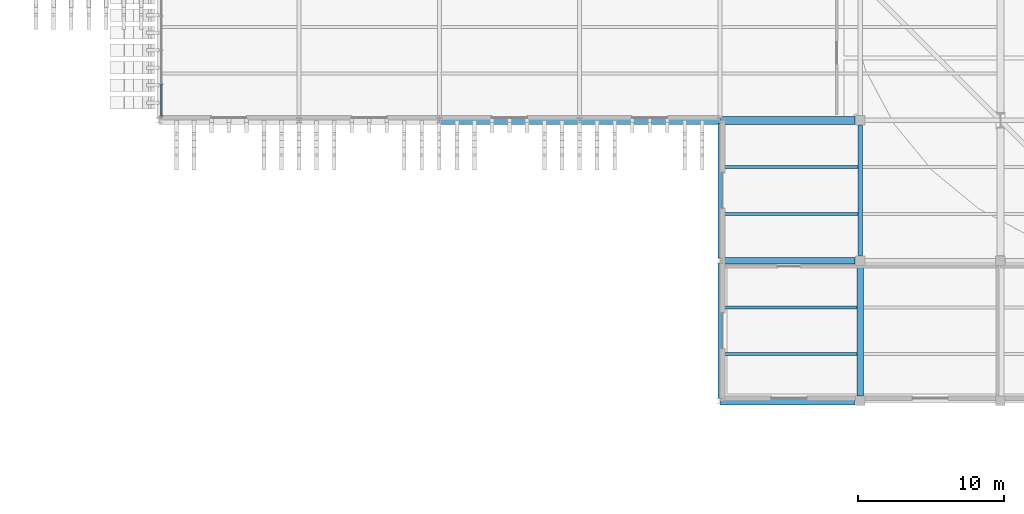
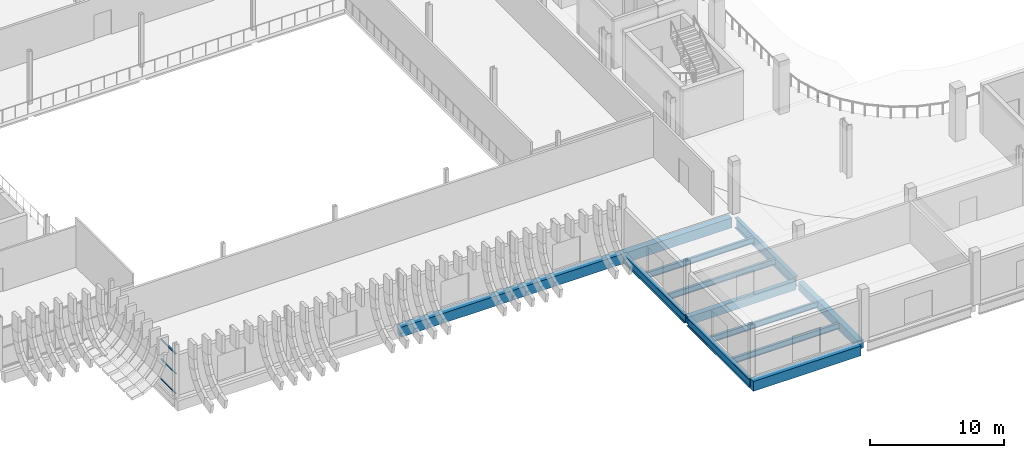
# One storey, part 14 of 100: 13 beams, 3 members, 1 element without a shape of its own.
"""IFC4 building model written with IfcOpenShell, lengths in metres."""

from ifc_helpers import new_model, si_unit, direction, frame, origin, origin_2d, place, context, subcontext, project, spatial, rectangle, i_section, extrude, material, layer, layer_set, material_profile, profile_set, type_object, element, aggregate, save


model = new_model("IFC4")

# Units and contexts
model_context = context("Model", 3, precision=1e-05, world=origin(), true_north=direction((0.0, 1.0)))
body_context = subcontext(model_context, "Body", "Model", "MODEL_VIEW")
ifc_project = project(units=[si_unit("LENGTHUNIT", "METRE"), si_unit("AREAUNIT", "SQUARE_METRE"), si_unit("VOLUMEUNIT", "CUBIC_METRE"), si_unit("PLANEANGLEUNIT", "RADIAN"), si_unit("MASSUNIT", "GRAM", prefix="KILO")], contexts=[model_context])

# Site, building, storey
site_placement = place(None, origin())
site = spatial("IfcSite", under=ifc_project, at=site_placement, CompositionType="ELEMENT")
building_placement = place(site_placement, origin())
building = spatial("IfcBuilding", under=site, at=building_placement, Name="Caelomonte Colonnade Arena", CompositionType="ELEMENT")
storey_placement = place(building_placement, origin())
storey = spatial("IfcBuildingStorey", under=building, at=storey_placement, Name="L00", CompositionType="ELEMENT", Elevation=0.0)

# Curtain wall, members
ifc_material_1 = material(Name="Bronze anodised aluminium and low-E glazing", Category="aluminium")
ifc_layer = layer(ifc_material_1, 0.179931640625)
ifc_layer_set = layer_set([ifc_layer], Name="Bronze anodised aluminium and low-E glazing")
curtain_wall_type = type_object("IfcCurtainWallType", Name="ENV-CW-CW-L00-96-37", PredefinedType="USERDEFINED", material=ifc_layer_set)
curtain_wall_placement = place(storey_placement, origin())
curtain_wall = element("IfcCurtainWall", 1, at=curtain_wall_placement, inside=storey, type_object=curtain_wall_type, Name="L00 unitized curtain wall CW-L00-0098-0336", ObjectType="UNITIZED CURTAIN WALL", PredefinedType="USERDEFINED")
ifc_material_2 = material(Name="Bronze anodised aluminium AA6063-T6", Category="aluminium")
ifc_material_profile_1 = material_profile(ifc_material_2, rectangle(XDim=0.06494140625, YDim=0.1201171875, at=origin_2d()), Name="CWT-65X120")
ifc_profile_set_1 = profile_set([ifc_material_profile_1], Name="Bronze anodised aluminium AA6063-T6")
member_type = type_object("IfcMemberType", Name="ENV-CW-TRAN2", PredefinedType="USERDEFINED", material=ifc_profile_set_1)
member_1_placement = place(storey_placement, frame((9.780029296875, 31.277587890625, 0.032470703125), z_axis=(0.0, -1.0, 0.0), x_axis=(0.0, 0.0, 1.0)))
member_1 = element("IfcMember", 2, at=member_1_placement, type_object=member_type, Name="CW-L00-96-37 transom 4.1", ObjectType="TRANSOM", PredefinedType="USERDEFINED", context=body_context, shape_type="SweptSolid", body=[
    extrude(rectangle(XDim=0.06494140625, YDim=0.1201171875, at=origin_2d()), origin(), (0.0, 0.0, 1.0), 2.208251953125),
])
member_2_placement = place(storey_placement, frame((9.780029296875, 31.277587890625, 1.832275390625), z_axis=(0.0, -1.0, 0.0), x_axis=(0.0, 0.0, 1.0)))
member_2 = element("IfcMember", 3, at=member_2_placement, type_object=member_type, Name="CW-L00-96-37 transom 4.2", ObjectType="TRANSOM", PredefinedType="USERDEFINED", context=body_context, shape_type="SweptSolid", body=[
    extrude(rectangle(XDim=0.06494140625, YDim=0.1201171875, at=origin_2d()), origin(), (0.0, 0.0, 1.0), 2.208251953125),
])
member_3_placement = place(storey_placement, frame((9.780029296875, 31.277587890625, 3.6318359375), z_axis=(0.0, -1.0, 0.0), x_axis=(0.0, 0.0, 1.0)))
member_3 = element("IfcMember", 4, at=member_3_placement, type_object=member_type, Name="CW-L00-96-37 transom 4.3", ObjectType="TRANSOM", PredefinedType="USERDEFINED", context=body_context, shape_type="SweptSolid", body=[
    extrude(rectangle(XDim=0.06494140625, YDim=0.1201171875, at=origin_2d()), origin(), (0.0, 0.0, 1.0), 2.208251953125),
])
aggregate(curtain_wall, [member_1, member_2, member_3])

# Beams
ifc_material_3 = material(Name="Wide-flange steel ASTM A992 Grade 50", Category="steel")
ifc_material_profile_2 = material_profile(ifc_material_3, i_section(OverallWidth=0.307861328125, OverallDepth=0.927001953125, WebThickness=0.019287109375, FlangeThickness=0.031982421875, FilletRadius=0.020263671875, at=origin_2d()), Name="W36X194")
ifc_profile_set_2 = profile_set([ifc_material_profile_2], Name="Wide-flange steel ASTM A992 Grade 50")
beam_type_1 = type_object("IfcBeamType", Name="STR-BM-EAVES2", PredefinedType="SPANDREL", material=ifc_profile_set_2)
beam_1_placement = place(storey_placement, frame((57.60009765625, 19.5419921875, -0.763427734375), z_axis=(0.0, 1.0, 0.0), x_axis=(-1.0, 0.0, 0.0)))
element("IfcBeam", 5, at=beam_1_placement, inside=storey, type_object=beam_type_1, Name="L00 girder BMY-L00-0576-0192", PredefinedType="SPANDREL", context=body_context, shape_type="SweptSolid", body=[
    extrude(i_section(OverallWidth=0.307861328125, OverallDepth=0.927001953125, WebThickness=0.019287109375, FlangeThickness=0.031982421875, FilletRadius=0.020263671875, at=origin_2d()), origin(), (0.0, 0.0, 1.0), 8.916015625),
])
ifc_material_profile_3 = material_profile(ifc_material_3, i_section(OverallWidth=0.2666015625, OverallDepth=0.761962890625, WebThickness=0.014404296875, FlangeThickness=0.021484375, FilletRadius=0.0166015625, at=origin_2d()), Name="W30X116")
ifc_profile_set_3 = profile_set([ifc_material_profile_3], Name="Wide-flange steel ASTM A992 Grade 50")
beam_type_2 = type_object("IfcBeamType", Name="STR-BM-GIRD30", PredefinedType="BEAM", material=ifc_profile_set_3)
beam_2_placement = place(storey_placement, frame((48.0, 9.7783203125, -0.680908203125), z_axis=(0.0, 1.0, 0.0), x_axis=(-1.0, 0.0, 0.0)))
element("IfcBeam", 6, at=beam_2_placement, inside=storey, type_object=beam_type_2, Name="L00 girder BMY-L00-0480-0096", PredefinedType="BEAM", context=body_context, shape_type="SweptSolid", body=[
    extrude(i_section(OverallWidth=0.2666015625, OverallDepth=0.761962890625, WebThickness=0.014404296875, FlangeThickness=0.021484375, FilletRadius=0.0166015625, at=origin_2d()), origin(), (0.0, 0.0, 1.0), 9.243408203125),
])
beam_3_placement = place(storey_placement, frame((48.0, 19.378173828125, -0.680908203125), z_axis=(0.0, 1.0, 0.0), x_axis=(-1.0, 0.0, 0.0)))
element("IfcBeam", 7, at=beam_3_placement, inside=storey, type_object=beam_type_2, Name="L00 girder BMY-L00-0480-0192", PredefinedType="BEAM", context=body_context, shape_type="SweptSolid", body=[
    extrude(i_section(OverallWidth=0.2666015625, OverallDepth=0.761962890625, WebThickness=0.014404296875, FlangeThickness=0.021484375, FilletRadius=0.0166015625, at=origin_2d()), origin(), (0.0, 0.0, 1.0), 9.24365234375),
])
ifc_material_profile_4 = material_profile(ifc_material_3, i_section(OverallWidth=0.209228515625, OverallDepth=0.533447265625, WebThickness=0.01025390625, FlangeThickness=0.015625, FilletRadius=0.0126953125, at=origin_2d()), Name="W21X62")
ifc_profile_set_4 = profile_set([ifc_material_profile_4], Name="Wide-flange steel ASTM A992 Grade 50")
beam_type_3 = type_object("IfcBeamType", Name="STR-BM-JOIST21", PredefinedType="JOIST", material=ifc_profile_set_4)
for number, where, z_axis, x_axis, name in (
    (8, (48.12841796875, 12.800048828125, -0.566650390625), (1.0, 0.0, 0.0), (0.0, 1.0, 0.0), "L00 secondary joist 1"),
    (9, (48.12841796875, 16.0, -0.566650390625), (1.0, 0.0, 0.0), (0.0, 1.0, 0.0), "L00 secondary joist 2"),
):
    element("IfcBeam", number, at=place(storey_placement, frame(where, z_axis=z_axis, x_axis=x_axis)), inside=storey, type_object=beam_type_3, Name=name, PredefinedType="JOIST", context=body_context, shape_type="SweptSolid", body=[
        extrude(i_section(OverallWidth=0.209228515625, OverallDepth=0.533447265625, WebThickness=0.01025390625, FlangeThickness=0.015625, FilletRadius=0.0126953125, at=origin_2d()), origin(), (0.0, 0.0, 1.0), 9.25146484375),
    ])
for number, where, z_axis, x_axis, name in (
    (10, (48.12841796875, 22.39990234375, -0.566650390625), (1.0, 0.0, 0.0), (0.0, 1.0, 0.0), "L00 secondary joist 1"),
    (11, (48.12841796875, 25.60009765625, -0.566650390625), (1.0, 0.0, 0.0), (0.0, 1.0, 0.0), "L00 secondary joist 2"),
):
    element("IfcBeam", number, at=place(storey_placement, frame(where, z_axis=z_axis, x_axis=x_axis)), inside=storey, type_object=beam_type_3, Name=name, PredefinedType="JOIST", context=body_context, shape_type="SweptSolid", body=[
        extrude(i_section(OverallWidth=0.209228515625, OverallDepth=0.533447265625, WebThickness=0.01025390625, FlangeThickness=0.015625, FilletRadius=0.0126953125, at=origin_2d()), origin(), (0.0, 0.0, 1.0), 9.32275390625),
    ])
ifc_material_4 = material(Name="Concrete C40/50", Category="concrete")
ifc_material_profile_5 = material_profile(ifc_material_4, rectangle(XDim=0.550048828125, YDim=0.89990234375, at=origin_2d()), Name="RC550X900")
ifc_profile_set_5 = profile_set([ifc_material_profile_5], Name="Concrete C40/50")
beam_type_4 = type_object("IfcBeamType", Name="STR-BM-RC55", PredefinedType="BEAM", material=ifc_profile_set_5)
beam_4_placement = place(storey_placement, frame((48.00830078125, 9.60009765625, -0.75), z_axis=(1.0, 0.0, 0.0), x_axis=(0.0, 1.0, 0.0)))
element("IfcBeam", 12, at=beam_4_placement, inside=storey, type_object=beam_type_4, Name="L00 girder BMX-L00-0480-0096", PredefinedType="BEAM", context=body_context, shape_type="SweptSolid", body=[
    extrude(rectangle(XDim=0.550048828125, YDim=0.89990234375, at=origin_2d()), origin(), (0.0, 0.0, 1.0), 9.249755859375),
])
beam_5_placement = place(storey_placement, frame((28.80810546875, 28.800048828125, -0.75), z_axis=(1.0, 0.0, 0.0), x_axis=(0.0, 1.0, 0.0)))
element("IfcBeam", 13, at=beam_5_placement, inside=storey, type_object=beam_type_4, Name="L00 girder BMX-L00-0288-0288", PredefinedType="BEAM", context=body_context, shape_type="SweptSolid", body=[
    extrude(rectangle(XDim=0.550048828125, YDim=0.89990234375, at=origin_2d()), origin(), (0.0, 0.0, 1.0), 9.583740234375),
])
beam_6_placement = place(storey_placement, frame((38.408203125, 28.800048828125, -0.75), z_axis=(1.0, 0.0, 0.0), x_axis=(0.0, 1.0, 0.0)))
element("IfcBeam", 14, at=beam_6_placement, inside=storey, type_object=beam_type_4, Name="L00 girder BMX-L00-0384-0288", PredefinedType="BEAM", context=body_context, shape_type="SweptSolid", body=[
    extrude(rectangle(XDim=0.550048828125, YDim=0.89990234375, at=origin_2d()), origin(), (0.0, 0.0, 1.0), 9.58349609375),
])
beam_7_placement = place(storey_placement, frame((48.00830078125, 28.800048828125, -0.75), z_axis=(1.0, 0.0, 0.0), x_axis=(0.0, 1.0, 0.0)))
element("IfcBeam", 15, at=beam_7_placement, inside=storey, type_object=beam_type_4, Name="L00 girder BMX-L00-0480-0288", PredefinedType="BEAM", context=body_context, shape_type="SweptSolid", body=[
    extrude(rectangle(XDim=0.550048828125, YDim=0.89990234375, at=origin_2d()), origin(), (0.0, 0.0, 1.0), 9.249755859375),
])
ifc_material_profile_6 = material_profile(ifc_material_4, rectangle(XDim=0.449951171875, YDim=0.75, at=origin_2d()), Name="RC450X750")
ifc_profile_set_6 = profile_set([ifc_material_profile_6], Name="Concrete C40/50")
beam_type_5 = type_object("IfcBeamType", Name="STR-BM-SPAN24", PredefinedType="SPANDREL", material=ifc_profile_set_6)
beam_8_placement = place(storey_placement, frame((48.00830078125, 19.199951171875, -0.675048828125), z_axis=(1.0, 0.0, 0.0), x_axis=(0.0, 1.0, 0.0)))
element("IfcBeam", 16, at=beam_8_placement, inside=storey, type_object=beam_type_5, Name="L00 girder BMX-L00-0480-0192", PredefinedType="SPANDREL", context=body_context, shape_type="SweptSolid", body=[
    extrude(rectangle(XDim=0.449951171875, YDim=0.75, at=origin_2d()), origin(), (0.0, 0.0, 1.0), 9.249755859375),
])
beam_9_placement = place(storey_placement, frame((57.60009765625, 9.94189453125, -0.675048828125), z_axis=(0.0, 1.0, 0.0), x_axis=(-1.0, 0.0, 0.0)))
element("IfcBeam", 17, at=beam_9_placement, inside=storey, type_object=beam_type_5, Name="L00 girder BMY-L00-0576-0096", PredefinedType="SPANDREL", context=body_context, shape_type="SweptSolid", body=[
    extrude(rectangle(XDim=0.449951171875, YDim=0.75, at=origin_2d()), origin(), (0.0, 0.0, 1.0), 8.916015625),
])

save(model, "model.ifc")
